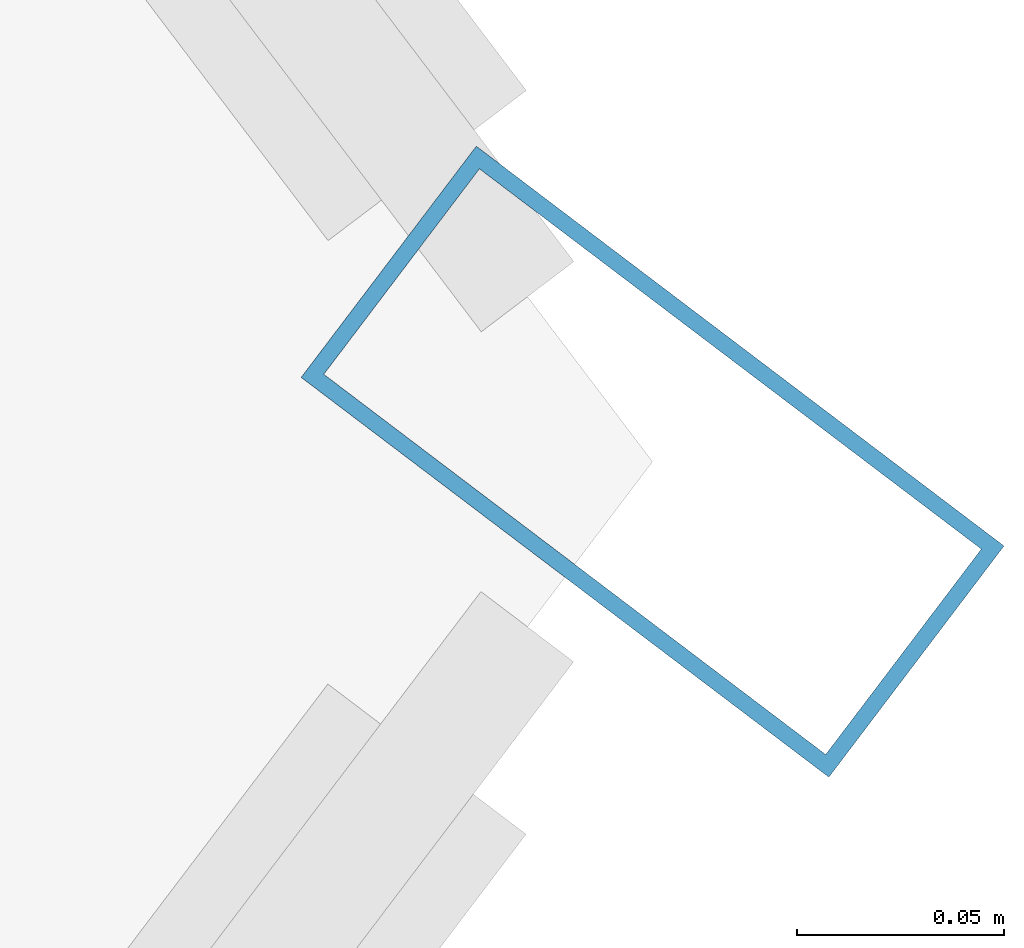
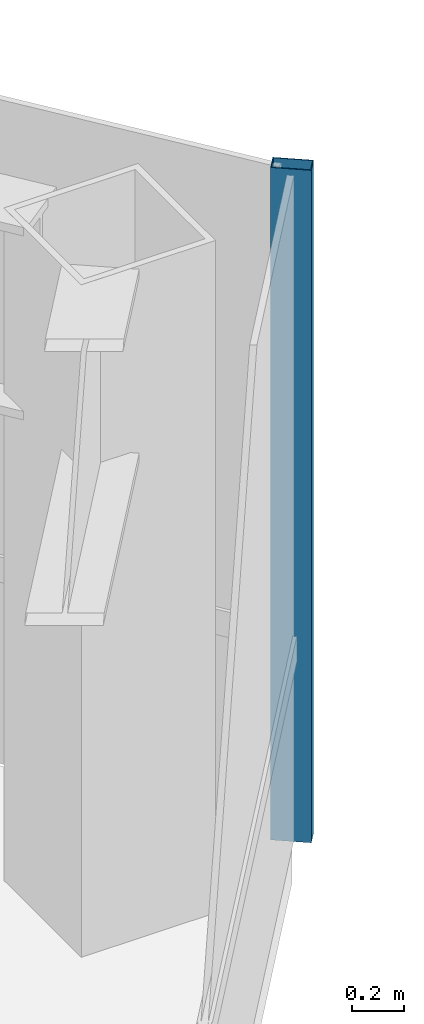
# One storey, part 21 of 28: 1 member, 1 element without a shape of its own.
"""IFC4 building model written with IfcOpenShell, lengths in metres."""

from ifc_helpers import new_model, si_unit, direction, frame, origin, origin_2d, place, context, subcontext, project, spatial, hollow_rectangle, extrude, material, layer, layer_set, material_profile, profile_set, type_object, element, aggregate, save


model = new_model("IFC4")

# Units and contexts
model_context = context("Model", 3, precision=1e-05, world=origin(), true_north=direction((0.0, 1.0)))
body_context = subcontext(model_context, "Body", "Model", "MODEL_VIEW")
ifc_project = project(units=[si_unit("LENGTHUNIT", "METRE"), si_unit("AREAUNIT", "SQUARE_METRE"), si_unit("VOLUMEUNIT", "CUBIC_METRE"), si_unit("PLANEANGLEUNIT", "RADIAN"), si_unit("MASSUNIT", "GRAM", prefix="KILO")], contexts=[model_context])

# Site, building, storey
site_placement = place(None, origin())
site = spatial("IfcSite", under=ifc_project, at=site_placement, CompositionType="ELEMENT")
building_placement = place(site_placement, origin())
building = spatial("IfcBuilding", under=site, at=building_placement, Name="Zarrinselat Tower", CompositionType="ELEMENT")
storey_placement = place(building_placement, frame((0.0, 0.0, 218.9599609375)))
storey = spatial("IfcBuildingStorey", under=building, at=storey_placement, Name="L54", CompositionType="ELEMENT", Elevation=218.9599609375)

# Curtain wall, member
ifc_material_1 = material(Name="Extruded Aluminium Alloy EN AW-6063 T6", Category="aluminium")
ifc_layer = layer(ifc_material_1, 0.169921875)
ifc_layer_set = layer_set([ifc_layer], Name="Extruded Aluminium Alloy EN AW-6063 T6")
curtain_wall_type = type_object("IfcCurtainWallType", Name="CWS-RES", PredefinedType="NOTDEFINED", material=ifc_layer_set)
curtain_wall_placement = place(storey_placement, origin())
curtain_wall = element("IfcCurtainWall", 1, at=curtain_wall_placement, inside=storey, type_object=curtain_wall_type, Name="L54 Unitised Curtain Wall CW-L54-E05", PredefinedType="NOTDEFINED")
ifc_material_2 = material(Name="Extruded Aluminium Alloy EN AW-6063 T6", Category="aluminium")
ifc_material_profile = material_profile(ifc_material_2, hollow_rectangle(XDim=0.070068359375, YDim=0.159912109375, WallThickness=0.00390625, at=origin_2d()), Name="RHS 160x70x4")
ifc_profile_set = profile_set([ifc_material_profile], Name="Extruded Aluminium Alloy EN AW-6063 T6")
member_type = type_object("IfcMemberType", Name="MEM-CW-MUL2", PredefinedType="MULLION", material=ifc_profile_set)
member_placement = place(storey_placement, frame((62.055908203125, 41.27685546875, 0.0), z_axis=(0.0, 0.0, 1.0), x_axis=(0.603859212041, 0.797090993572, 0.0)))
member = element("IfcMember", 2, at=member_placement, type_object=member_type, Name="CW-L54-E05 Mullion 8", PredefinedType="MULLION", context=body_context, shape_type="SweptSolid", body=[
    extrude(hollow_rectangle(XDim=0.070068359375, YDim=0.159912109375, WallThickness=0.00390625, at=origin_2d()), origin(), (0.0, 0.0, 1.0), 3.179931640625),
])
aggregate(curtain_wall, [member])

save(model, "model.ifc")
